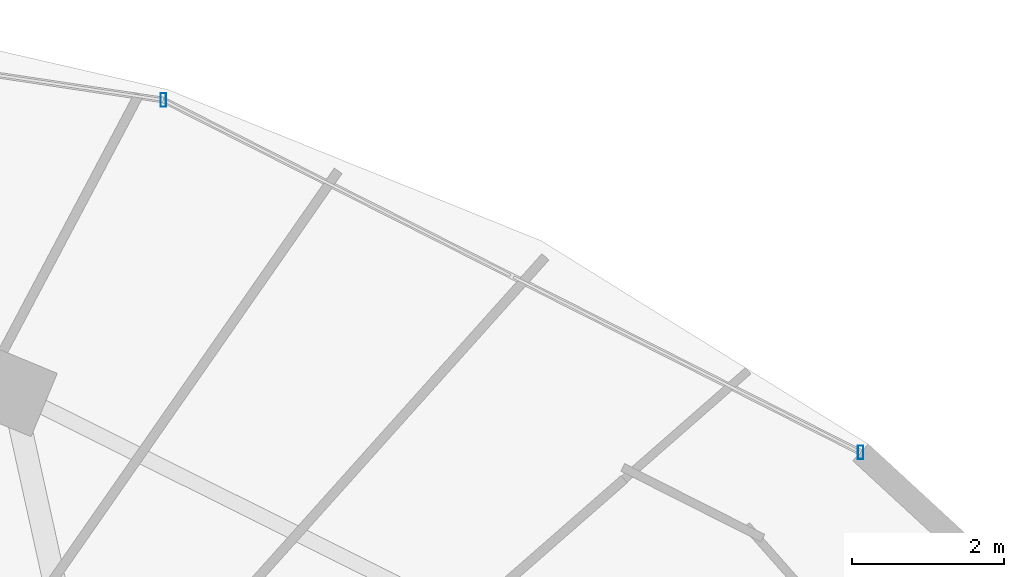
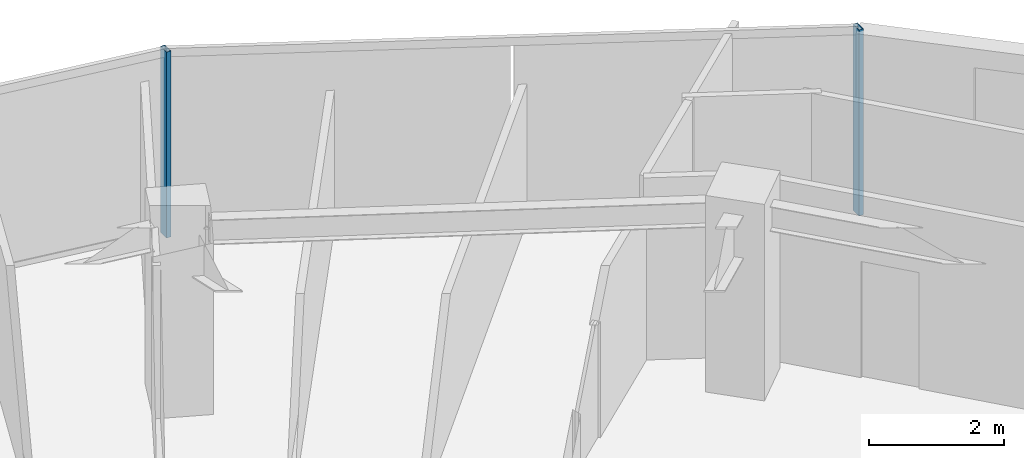
# One storey, part 22 of 34: 2 members, 1 element without a shape of its own.
"""IFC4 building model written with IfcOpenShell, lengths in metres."""

from ifc_helpers import new_model, si_unit, direction, frame, origin, origin_2d, place, context, subcontext, project, spatial, hollow_rectangle, extrude, material, material_profile, profile_set, type_object, element, aggregate, save


model = new_model("IFC4")

# Units and contexts
model_context = context("Model", 3, precision=1e-05, world=origin(), true_north=direction((0.0, 1.0)))
body_context = subcontext(model_context, "Body", "Model", "MODEL_VIEW")
ifc_project = project(units=[si_unit("LENGTHUNIT", "METRE"), si_unit("AREAUNIT", "SQUARE_METRE"), si_unit("VOLUMEUNIT", "CUBIC_METRE"), si_unit("PLANEANGLEUNIT", "RADIAN"), si_unit("MASSUNIT", "GRAM", prefix="KILO")], contexts=[model_context])

# Site, building, storey
site_placement = place(None, origin())
site = spatial("IfcSite", under=ifc_project, at=site_placement, CompositionType="ELEMENT")
building_placement = place(site_placement, origin())
building = spatial("IfcBuilding", under=site, at=building_placement, Name="Vorneva Point Tower", CompositionType="ELEMENT")
storey_placement = place(building_placement, frame((0.0, 0.0, 210.75)))
storey = spatial("IfcBuildingStorey", under=building, at=storey_placement, Name="L57", CompositionType="ELEMENT", Elevation=210.75)

# Curtain wall, members
ifc_material = material(Name="Pale anodised aluminium", Category="aluminium")
curtain_wall_type = type_object("IfcCurtainWallType", Name="CW-RES-SYS", PredefinedType="NOTDEFINED", material=ifc_material)
curtain_wall_placement = place(storey_placement, origin())
curtain_wall = element("IfcCurtainWall", 1, at=curtain_wall_placement, inside=storey, type_object=curtain_wall_type, Name="L57 Unitised Curtain Wall CW-L57-R02", PredefinedType="NOTDEFINED")
ifc_material_profile = material_profile(ifc_material, hollow_rectangle(XDim=0.074951171875, YDim=0.179931640625, WallThickness=0.00390625, at=origin_2d()), Name="AL-MUL 180x75x4")
ifc_profile_set = profile_set([ifc_material_profile], Name="Pale anodised aluminium")
member_type = type_object("IfcMemberType", Name="CW-MUL-180", PredefinedType="MULLION", material=ifc_profile_set)
member_1_placement = place(storey_placement, frame((57.961669921875, 41.0966796875, -0.0400390625), z_axis=(0.0, 0.0, 1.0), x_axis=(1.0, 0.0, 0.0)))
member_1 = element("IfcMember", 2, at=member_1_placement, type_object=member_type, Name="CW-L57-R02 Mullion 01", PredefinedType="MULLION", context=body_context, shape_type="SweptSolid", body=[
    extrude(hollow_rectangle(XDim=0.074951171875, YDim=0.179931640625, WallThickness=0.00390625, at=origin_2d()), origin(), (0.0, 0.0, 1.0), 3.360107421875),
])
member_2_placement = place(storey_placement, frame((48.80322265625, 45.724853515625, -0.0400390625), z_axis=(0.0, 0.0, 1.0), x_axis=(1.0, 0.0, 0.0)))
member_2 = element("IfcMember", 3, at=member_2_placement, type_object=member_type, Name="CW-L57-R02 Mullion 02", PredefinedType="MULLION", context=body_context, shape_type="SweptSolid", body=[
    extrude(hollow_rectangle(XDim=0.074951171875, YDim=0.179931640625, WallThickness=0.00390625, at=origin_2d()), origin(), (0.0, 0.0, 1.0), 3.360107421875),
])
aggregate(curtain_wall, [member_1, member_2])

save(model, "model.ifc")
